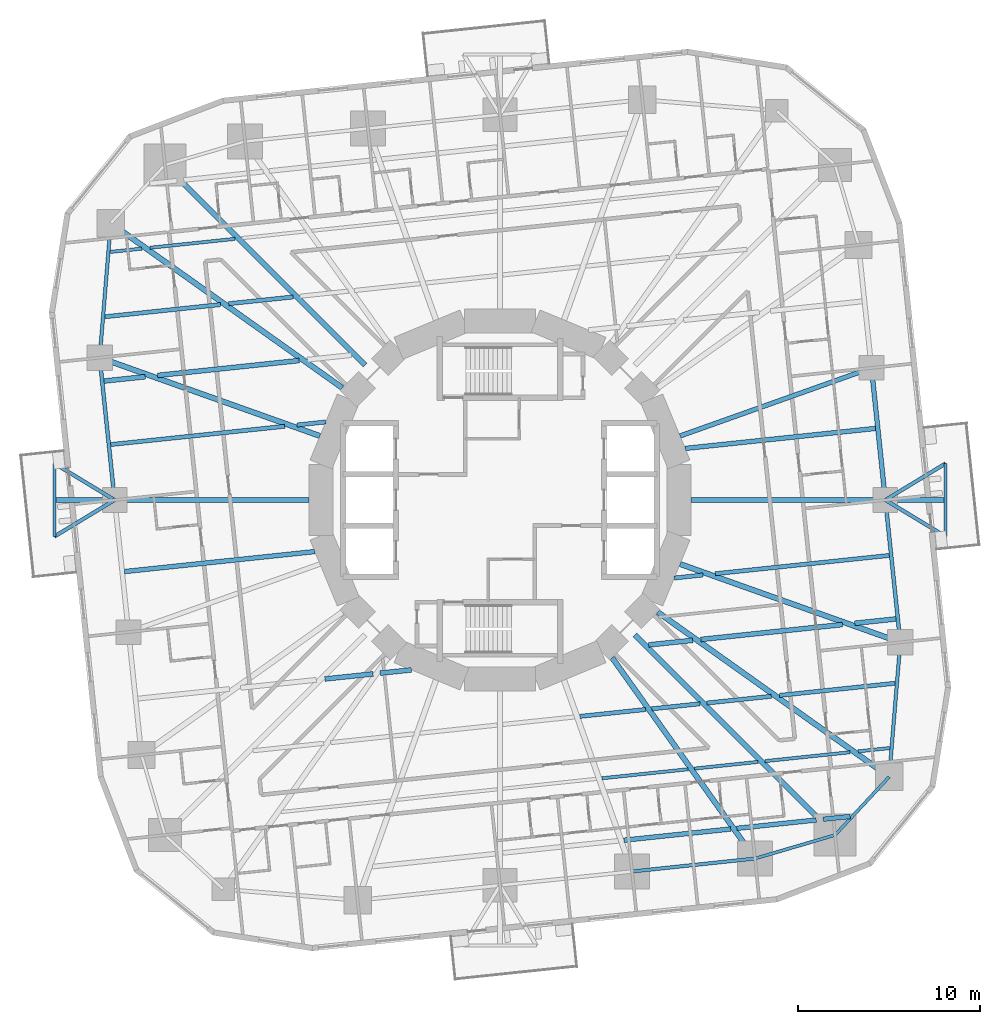
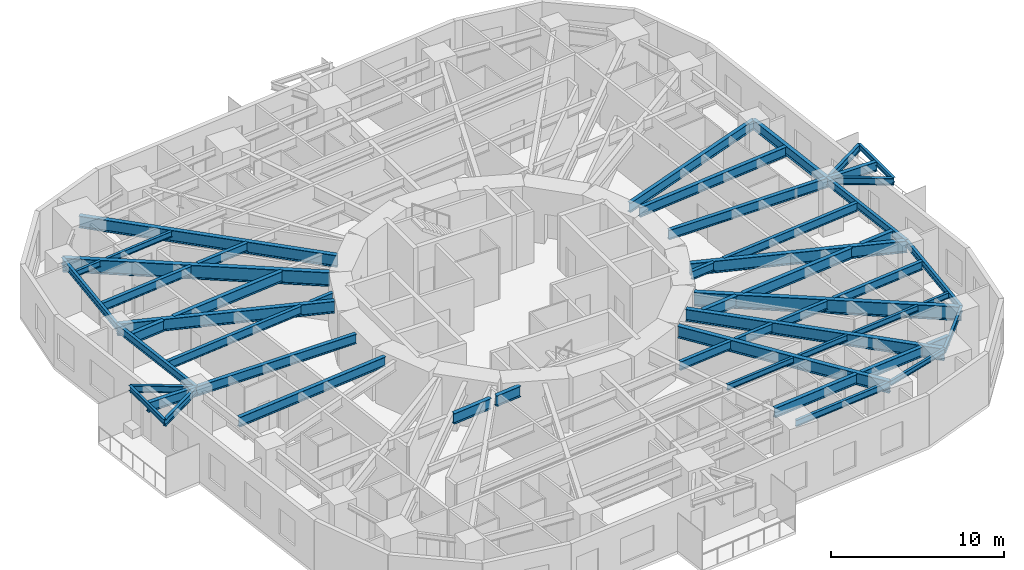
# One storey, part 2 of 13: 52 beams.
"""IFC4 building model written with IfcOpenShell, lengths in metres."""

from ifc_helpers import new_model, si_unit, direction, frame, origin, origin_2d, place, context, subcontext, project, spatial, i_section, extrude, material, material_profile, profile_set, type_object, element, save


model = new_model("IFC4")

# Units and contexts
model_context = context("Model", 3, precision=1e-05, world=origin(), true_north=direction((0.0, 1.0)))
body_context = subcontext(model_context, "Body", "Model", "MODEL_VIEW")
ifc_project = project(units=[si_unit("LENGTHUNIT", "METRE"), si_unit("AREAUNIT", "SQUARE_METRE"), si_unit("VOLUMEUNIT", "CUBIC_METRE"), si_unit("PLANEANGLEUNIT", "RADIAN"), si_unit("MASSUNIT", "GRAM", prefix="KILO")], contexts=[model_context])

# Site, building, storey
site_placement = place(None, origin())
site = spatial("IfcSite", under=ifc_project, at=site_placement, CompositionType="ELEMENT")
building_placement = place(site_placement, origin())
building = spatial("IfcBuilding", under=site, at=building_placement, Name="Nakasero Lantern House", CompositionType="ELEMENT")
storey_placement = place(building_placement, frame((0.0, 0.0, 75.89990234375)))
storey = spatial("IfcBuildingStorey", under=building, at=storey_placement, Name="L18", CompositionType="ELEMENT", Elevation=75.89990234375)

# Beams
ifc_material_1 = material(Name="Steel S355", Category="steel")
ifc_material_profile_1 = material_profile(ifc_material_1, i_section(OverallWidth=0.199462890625, OverallDepth=0.491943359375, WebThickness=0.01806640625, FlangeThickness=0.031982421875, FilletRadius=0.01025390625, at=origin_2d()), Name="UB 457x191x161")
ifc_profile_set_1 = profile_set([ifc_material_profile_1], Name="Steel S355")
beam_type_1 = type_object("IfcBeamType", Name="Balcony splay beam UB 457x191x161", PredefinedType="BEAM", material=ifc_profile_set_1)
for number, where, z_axis, x_axis, name in (
    (1, (21.11572265625, 0.0, 3.404052734375), (0.855201230787, 0.518296107317, 0.0), (-0.518296107317, 0.855201230787, 0.0), "Balcony splay beam L19 B2-C03A"),
    (2, (21.11572265625, 0.0, 3.404052734375), (0.855201230787, -0.518296107317, 0.0), (0.518296107317, 0.855201230787, 0.0), "Balcony splay beam L19 B2-C03B"),
    (3, (-21.11572265625, 0.0, 3.404052734375), (-0.855201230787, -0.518296107317, 0.0), (0.518296107317, -0.855201230787, 0.0), "Balcony splay beam L19 B2-C15A"),
    (4, (-21.11572265625, 0.0, 3.404052734375), (-0.855201230787, 0.518296107317, 0.0), (-0.518296107317, -0.855201230787, 0.0), "Balcony splay beam L19 B2-C15B"),
):
    element("IfcBeam", number, at=place(storey_placement, frame(where, z_axis=z_axis, x_axis=x_axis)), inside=storey, type_object=beam_type_1, Name=name, PredefinedType="BEAM", context=body_context, shape_type="SweptSolid", body=[
        extrude(i_section(OverallWidth=0.199462890625, OverallDepth=0.491943359375, WebThickness=0.01806640625, FlangeThickness=0.031982421875, FilletRadius=0.01025390625, at=origin_2d()), origin(), (0.0, 0.0, 1.0), 3.85888671875),
    ])
ifc_material_2 = material(Name="Steel S355", Category="steel")
ifc_material_profile_2 = material_profile(ifc_material_2, i_section(OverallWidth=0.17138671875, OverallDepth=0.35498046875, WebThickness=0.00732421875, FlangeThickness=0.011474609375, FilletRadius=0.01025390625, at=origin_2d()), Name="UB 356x171x51")
ifc_profile_set_2 = profile_set([ifc_material_profile_2], Name="Steel S355")
beam_type_2 = type_object("IfcBeamType", Name="Balcony tie beam UB 356x171x51", PredefinedType="BEAM", material=ifc_profile_set_2)
for number, where, z_axis, x_axis, name in (
    (5, (24.415771484375, 2.0, 3.47265625), (0.0, -1.0, 0.0), (1.0, 0.0, 0.0), "Balcony tie beam L19 B2-C03"),
    (6, (-24.415771484375, -2.0, 3.47265625), (0.0, 1.0, 0.0), (-1.0, 0.0, 0.0), "Balcony tie beam L19 B2-C15"),
):
    element("IfcBeam", number, at=place(storey_placement, frame(where, z_axis=z_axis, x_axis=x_axis)), inside=storey, type_object=beam_type_2, Name=name, PredefinedType="BEAM", context=body_context, shape_type="SweptSolid", body=[
        extrude(i_section(OverallWidth=0.17138671875, OverallDepth=0.35498046875, WebThickness=0.00732421875, FlangeThickness=0.011474609375, FilletRadius=0.01025390625, at=origin_2d()), origin(), (0.0, 0.0, 1.0), 4.0),
    ])
ifc_material_3 = material(Name="Steel S355", Category="steel")
ifc_material_profile_3 = material_profile(ifc_material_3, i_section(OverallWidth=0.177978515625, OverallDepth=0.406494140625, WebThickness=0.0078125, FlangeThickness=0.0126953125, FilletRadius=0.01025390625, at=origin_2d()), Name="UB 406x178x60")
ifc_profile_set_3 = profile_set([ifc_material_profile_3], Name="Steel S355")
beam_type_3 = type_object("IfcBeamType", Name="Infill beam UB 406x178x60", PredefinedType="JOIST", material=ifc_profile_set_3)
beam_1_placement = place(storey_placement, frame((5.58154296875, -15.25, 3.44677734375), z_axis=(0.994523439889, 0.104513767091, 0.0), x_axis=(-0.104513767091, 0.994523439889, 0.0)))
element("IfcBeam", 7, at=beam_1_placement, inside=storey, type_object=beam_type_3, Name="Infill beam L19 03.4", PredefinedType="JOIST", context=body_context, shape_type="SweptSolid", body=[
    extrude(i_section(OverallWidth=0.177978515625, OverallDepth=0.406494140625, WebThickness=0.0078125, FlangeThickness=0.0126953125, FilletRadius=0.01025390625, at=origin_2d()), origin(), (0.0, 0.0, 1.0), 4.756103515625),
])
beam_2_placement = place(storey_placement, frame((10.6455078125, -14.7177734375, 3.44677734375), z_axis=(0.994521415391, 0.104533029842, 0.0), x_axis=(-0.104533029842, 0.994521415391, 0.0)))
element("IfcBeam", 8, at=beam_2_placement, inside=storey, type_object=beam_type_3, Name="Infill beam L19 03.5", PredefinedType="JOIST", context=body_context, shape_type="SweptSolid", body=[
    extrude(i_section(OverallWidth=0.177978515625, OverallDepth=0.406494140625, WebThickness=0.0078125, FlangeThickness=0.0126953125, FilletRadius=0.01025390625, at=origin_2d()), origin(), (0.0, 0.0, 1.0), 3.517333984375),
])
beam_3_placement = place(storey_placement, frame((14.517578125, -14.310791015625, 3.44677734375), z_axis=(0.994522000641, 0.104527461662, 0.0), x_axis=(-0.104527461662, 0.994522000641, 0.0)))
element("IfcBeam", 9, at=beam_3_placement, inside=storey, type_object=beam_type_3, Name="Infill beam L19 03.6", PredefinedType="JOIST", context=body_context, shape_type="SweptSolid", body=[
    extrude(i_section(OverallWidth=0.177978515625, OverallDepth=0.406494140625, WebThickness=0.0078125, FlangeThickness=0.0126953125, FilletRadius=0.01025390625, at=origin_2d()), origin(), (0.0, 0.0, 1.0), 4.685302734375),
])
for number, where, z_axis, x_axis, name in (
    (10, (19.628173828125, -13.773681640625, 3.44677734375), (0.994526919783, 0.1044806481, 0.0), (-0.1044806481, 0.994526919783, 0.0), "Infill beam L19 03.7"),
    (11, (-21.36181640625, 13.591552734375, 3.44677734375), (0.994526919783, 0.1044806481, 0.0), (-0.1044806481, 0.994526919783, 0.0), "Infill beam L19 12.1"),
):
    element("IfcBeam", number, at=place(storey_placement, frame(where, z_axis=z_axis, x_axis=x_axis)), inside=storey, type_object=beam_type_3, Name=name, PredefinedType="JOIST", context=body_context, shape_type="SweptSolid", body=[
        extrude(i_section(OverallWidth=0.177978515625, OverallDepth=0.406494140625, WebThickness=0.0078125, FlangeThickness=0.0126953125, FilletRadius=0.01025390625, at=origin_2d()), origin(), (0.0, 0.0, 1.0), 1.7431640625),
    ])
beam_4_placement = place(storey_placement, frame((-19.17724609375, 13.821044921875, 3.44677734375), z_axis=(0.994522000641, 0.104527461662, 0.0), x_axis=(-0.104527461662, 0.994522000641, 0.0)))
element("IfcBeam", 12, at=beam_4_placement, inside=storey, type_object=beam_type_3, Name="Infill beam L19 12.2", PredefinedType="JOIST", context=body_context, shape_type="SweptSolid", body=[
    extrude(i_section(OverallWidth=0.177978515625, OverallDepth=0.406494140625, WebThickness=0.0078125, FlangeThickness=0.0126953125, FilletRadius=0.01025390625, at=origin_2d()), origin(), (0.0, 0.0, 1.0), 4.685302734375),
])
ifc_material_4 = material(Name="Steel S355", Category="steel")
ifc_material_profile_4 = material_profile(ifc_material_4, i_section(OverallWidth=0.2275390625, OverallDepth=0.6025390625, WebThickness=0.010498046875, FlangeThickness=0.014892578125, FilletRadius=0.0126953125, at=origin_2d()), Name="UB 610x229x101")
ifc_profile_set_4 = profile_set([ifc_material_profile_4], Name="Steel S355")
beam_type_4 = type_object("IfcBeamType", Name="Infill beam UB 610x229x101", PredefinedType="JOIST", material=ifc_profile_set_4)
beam_5_placement = place(storey_placement, frame((9.548583984375, -4.275390625, 3.348876953125), z_axis=(0.99451559139, 0.104588424223, 0.0), x_axis=(-0.104588424223, 0.99451559139, 0.0)))
element("IfcBeam", 13, at=beam_5_placement, inside=storey, type_object=beam_type_4, Name="Infill beam L19 06.1", PredefinedType="JOIST", context=body_context, shape_type="SweptSolid", body=[
    extrude(i_section(OverallWidth=0.2275390625, OverallDepth=0.6025390625, WebThickness=0.010498046875, FlangeThickness=0.014892578125, FilletRadius=0.0126953125, at=origin_2d()), origin(), (0.0, 0.0, 1.0), 1.582763671875),
])
for number, where, z_axis, x_axis, name in (
    (14, (11.79638671875, -4.0390625, 3.348876953125), (0.994521908804, 0.104528335435, 0.0), (-0.104528335435, 0.994521908804, 0.0), "Infill beam L19 06.2"),
    (15, (-21.329345703125, 3.037109375, 3.348876953125), (0.994521908804, 0.104528335435, 0.0), (-0.104528335435, 0.994521908804, 0.0), "Infill beam L19 09.1"),
):
    element("IfcBeam", number, at=place(storey_placement, frame(where, z_axis=z_axis, x_axis=x_axis)), inside=storey, type_object=beam_type_4, Name=name, PredefinedType="JOIST", context=body_context, shape_type="SweptSolid", body=[
        extrude(i_section(OverallWidth=0.2275390625, OverallDepth=0.6025390625, WebThickness=0.010498046875, FlangeThickness=0.014892578125, FilletRadius=0.0126953125, at=origin_2d()), origin(), (0.0, 0.0, 1.0), 9.58544921875),
    ])
beam_6_placement = place(storey_placement, frame((-11.12255859375, 4.10986328125, 3.348876953125), z_axis=(0.99451559139, 0.104588424223, 0.0), x_axis=(-0.104588424223, 0.99451559139, 0.0)))
element("IfcBeam", 16, at=beam_6_placement, inside=storey, type_object=beam_type_4, Name="Infill beam L19 09.2", PredefinedType="JOIST", context=body_context, shape_type="SweptSolid", body=[
    extrude(i_section(OverallWidth=0.2275390625, OverallDepth=0.6025390625, WebThickness=0.010498046875, FlangeThickness=0.014892578125, FilletRadius=0.0126953125, at=origin_2d()), origin(), (0.0, 0.0, 1.0), 1.582763671875),
])
ifc_material_5 = material(Name="Steel S355", Category="steel")
ifc_material_profile_5 = material_profile(ifc_material_5, i_section(OverallWidth=0.22900390625, OverallDepth=0.6123046875, WebThickness=0.011962890625, FlangeThickness=0.01953125, FilletRadius=0.0126953125, at=origin_2d()), Name="UB 610x229x125")
ifc_profile_set_5 = profile_set([ifc_material_profile_5], Name="Steel S355")
beam_type_5 = type_object("IfcBeamType", Name="Infill beam UB 610x229x125", PredefinedType="JOIST", material=ifc_profile_set_5)
beam_7_placement = place(storey_placement, frame((4.375244140625, -11.857666015625, 3.343994140625), z_axis=(0.994523507044, 0.104513128058, 0.0), x_axis=(-0.104513128058, 0.994523507044, 0.0)))
element("IfcBeam", 17, at=beam_7_placement, inside=storey, type_object=beam_type_5, Name="Infill beam L19 04.5", PredefinedType="JOIST", context=body_context, shape_type="SweptSolid", body=[
    extrude(i_section(OverallWidth=0.22900390625, OverallDepth=0.6123046875, WebThickness=0.011962890625, FlangeThickness=0.01953125, FilletRadius=0.0126953125, at=origin_2d()), origin(), (0.0, 0.0, 1.0), 3.627685546875),
])
beam_8_placement = place(storey_placement, frame((8.31689453125, -11.443359375, 3.343994140625), z_axis=(0.994526079282, 0.104488648322, 0.0), x_axis=(-0.104488648322, 0.994526079282, 0.0)))
element("IfcBeam", 18, at=beam_8_placement, inside=storey, type_object=beam_type_5, Name="Infill beam L19 04.6", PredefinedType="JOIST", context=body_context, shape_type="SweptSolid", body=[
    extrude(i_section(OverallWidth=0.22900390625, OverallDepth=0.6123046875, WebThickness=0.011962890625, FlangeThickness=0.01953125, FilletRadius=0.0126953125, at=origin_2d()), origin(), (0.0, 0.0, 1.0), 2.65673828125),
])
beam_9_placement = place(storey_placement, frame((11.3330078125, -11.126220703125, 3.343994140625), z_axis=(0.99452727583, 0.104477258916, 0.0), x_axis=(-0.104477258916, 0.99452727583, 0.0)))
element("IfcBeam", 19, at=beam_9_placement, inside=storey, type_object=beam_type_5, Name="Infill beam L19 04.7", PredefinedType="JOIST", context=body_context, shape_type="SweptSolid", body=[
    extrude(i_section(OverallWidth=0.22900390625, OverallDepth=0.6123046875, WebThickness=0.011962890625, FlangeThickness=0.01953125, FilletRadius=0.0126953125, at=origin_2d()), origin(), (0.0, 0.0, 1.0), 3.552001953125),
])
for number, where, z_axis, x_axis, name in (
    (20, (15.31640625, -10.707763671875, 3.343994140625), (0.994520346325, 0.104543200382, 0.0), (-0.104543200382, 0.994520346325, 0.0), "Infill beam L19 04.8"),
    (21, (-21.654541015625, 10.04150390625, 3.343994140625), (0.994520346325, 0.104543200382, 0.0), (-0.104543200382, 0.994520346325, 0.0), "Infill beam L19 11.1"),
):
    element("IfcBeam", number, at=place(storey_placement, frame(where, z_axis=z_axis, x_axis=x_axis)), inside=storey, type_object=beam_type_5, Name=name, PredefinedType="JOIST", context=body_context, shape_type="SweptSolid", body=[
        extrude(i_section(OverallWidth=0.22900390625, OverallDepth=0.6123046875, WebThickness=0.011962890625, FlangeThickness=0.01953125, FilletRadius=0.0126953125, at=origin_2d()), origin(), (0.0, 0.0, 1.0), 6.373046875),
    ])
beam_10_placement = place(storey_placement, frame((-14.865478515625, 10.755126953125, 3.343994140625), z_axis=(0.99452727583, 0.104477258916, 0.0), x_axis=(-0.104477258916, 0.99452727583, 0.0)))
element("IfcBeam", 22, at=beam_10_placement, inside=storey, type_object=beam_type_5, Name="Infill beam L19 11.2", PredefinedType="JOIST", context=body_context, shape_type="SweptSolid", body=[
    extrude(i_section(OverallWidth=0.22900390625, OverallDepth=0.6123046875, WebThickness=0.011962890625, FlangeThickness=0.01953125, FilletRadius=0.0126953125, at=origin_2d()), origin(), (0.0, 0.0, 1.0), 3.552001953125),
])
ifc_material_6 = material(Name="Steel S355", Category="steel")
ifc_material_profile_6 = material_profile(ifc_material_6, i_section(OverallWidth=0.255859375, OverallDepth=0.69287109375, WebThickness=0.014404296875, FlangeThickness=0.023681640625, FilletRadius=0.01513671875, at=origin_2d()), Name="UB 686x254x170")
ifc_profile_set_6 = profile_set([ifc_material_profile_6], Name="Steel S355")
beam_type_6 = type_object("IfcBeamType", Name="Infill beam UB 686x254x170", PredefinedType="JOIST", material=ifc_profile_set_6)
beam_11_placement = place(storey_placement, frame((6.78759765625, -18.642578125, 3.3037109375), z_axis=(0.994524304789, 0.104505536616, 0.0), x_axis=(-0.104505536616, 0.994524304789, 0.0)))
element("IfcBeam", 23, at=beam_11_placement, inside=storey, type_object=beam_type_6, Name="Infill beam L19 02.3", PredefinedType="JOIST", context=body_context, shape_type="SweptSolid", body=[
    extrude(i_section(OverallWidth=0.255859375, OverallDepth=0.69287109375, WebThickness=0.014404296875, FlangeThickness=0.023681640625, FilletRadius=0.01513671875, at=origin_2d()), origin(), (0.0, 0.0, 1.0), 5.884765625),
])
beam_12_placement = place(storey_placement, frame((12.97412109375, -17.992431640625, 3.3037109375), z_axis=(0.994518584312, 0.104559961062, 0.0), x_axis=(-0.104559961062, 0.994518584312, 0.0)))
element("IfcBeam", 24, at=beam_12_placement, inside=storey, type_object=beam_type_6, Name="Infill beam L19 02.4", PredefinedType="JOIST", context=body_context, shape_type="SweptSolid", body=[
    extrude(i_section(OverallWidth=0.255859375, OverallDepth=0.69287109375, WebThickness=0.014404296875, FlangeThickness=0.023681640625, FilletRadius=0.01513671875, at=origin_2d()), origin(), (0.0, 0.0, 1.0), 4.3779296875),
])
beam_13_placement = place(storey_placement, frame((17.7021484375, -17.495361328125, 3.3037109375), z_axis=(0.994535800288, 0.104396082038, 0.0), x_axis=(-0.104396082038, 0.994535800288, 0.0)))
element("IfcBeam", 25, at=beam_13_placement, inside=storey, type_object=beam_type_6, Name="Infill beam L19 02.5", PredefinedType="JOIST", context=body_context, shape_type="SweptSolid", body=[
    extrude(i_section(OverallWidth=0.255859375, OverallDepth=0.69287109375, WebThickness=0.014404296875, FlangeThickness=0.023681640625, FilletRadius=0.01513671875, at=origin_2d()), origin(), (0.0, 0.0, 1.0), 1.49658203125),
])
for number, where, z_axis, x_axis, name in (
    (26, (-20.575927734375, -3.92236328125, 3.3037109375), (0.994521899939, 0.104528419781, 0.0), (-0.104528419781, 0.994521899939, 0.0), "Infill beam L19 07.1"),
    (27, (10.148681640625, 2.826416015625, 3.3037109375), (0.994521899939, 0.104528419781, 0.0), (-0.104528419781, 0.994521899939, 0.0), "Infill beam L19 08.1"),
):
    element("IfcBeam", number, at=place(storey_placement, frame(where, z_axis=z_axis, x_axis=x_axis)), inside=storey, type_object=beam_type_6, Name=name, PredefinedType="JOIST", context=body_context, shape_type="SweptSolid", body=[
        extrude(i_section(OverallWidth=0.255859375, OverallDepth=0.69287109375, WebThickness=0.014404296875, FlangeThickness=0.023681640625, FilletRadius=0.01513671875, at=origin_2d()), origin(), (0.0, 0.0, 1.0), 10.484619140625),
    ])
ifc_material_7 = material(Name="Steel S355", Category="steel")
ifc_material_profile_7 = material_profile(ifc_material_7, i_section(OverallWidth=0.2666015625, OverallDepth=0.76220703125, WebThickness=0.014404296875, FlangeThickness=0.021484375, FilletRadius=0.0166015625, at=origin_2d()), Name="UB 762x267x173")
ifc_profile_set_7 = profile_set([ifc_material_profile_7], Name="Steel S355")
beam_type_7 = type_object("IfcBeamType", Name="Infill beam UB 762x267x173", PredefinedType="JOIST", material=ifc_profile_set_7)
beam_14_placement = place(storey_placement, frame((-9.594482421875, -9.806640625, 3.26904296875), z_axis=(0.994521575627, 0.104531505358, 0.0), x_axis=(-0.104531505358, 0.994521575627, 0.0)))
element("IfcBeam", 28, at=beam_14_placement, inside=storey, type_object=beam_type_7, Name="Infill beam L19 05.3", PredefinedType="JOIST", context=body_context, shape_type="SweptSolid", body=[
    extrude(i_section(OverallWidth=0.2666015625, OverallDepth=0.76220703125, WebThickness=0.014404296875, FlangeThickness=0.021484375, FilletRadius=0.0166015625, at=origin_2d()), origin(), (0.0, 0.0, 1.0), 2.6533203125),
])
beam_15_placement = place(storey_placement, frame((-6.568115234375, -9.488525390625, 3.26904296875), z_axis=(0.994529501552, 0.104456069922, 0.0), x_axis=(-0.104456069922, 0.994529501552, 0.0)))
element("IfcBeam", 29, at=beam_15_placement, inside=storey, type_object=beam_type_7, Name="Infill beam L19 05.4", PredefinedType="JOIST", context=body_context, shape_type="SweptSolid", body=[
    extrude(i_section(OverallWidth=0.2666015625, OverallDepth=0.76220703125, WebThickness=0.014404296875, FlangeThickness=0.021484375, FilletRadius=0.0166015625, at=origin_2d()), origin(), (0.0, 0.0, 1.0), 1.72265625),
])
beam_16_placement = place(storey_placement, frame((8.1484375, -7.941650390625, 3.26904296875), z_axis=(0.99452700398, 0.104479846642, 0.0), x_axis=(-0.104479846642, 0.99452700398, 0.0)))
element("IfcBeam", 30, at=beam_16_placement, inside=storey, type_object=beam_type_7, Name="Infill beam L19 05.5", PredefinedType="JOIST", context=body_context, shape_type="SweptSolid", body=[
    extrude(i_section(OverallWidth=0.2666015625, OverallDepth=0.76220703125, WebThickness=0.014404296875, FlangeThickness=0.021484375, FilletRadius=0.0166015625, at=origin_2d()), origin(), (0.0, 0.0, 1.0), 2.41845703125),
])
beam_17_placement = place(storey_placement, frame((11.0048828125, -7.6416015625, 3.26904296875), z_axis=(0.994520535103, 0.104541404521, 0.0), x_axis=(-0.104541404521, 0.994520535103, 0.0)))
element("IfcBeam", 31, at=beam_17_placement, inside=storey, type_object=beam_type_7, Name="Infill beam L19 05.6", PredefinedType="JOIST", context=body_context, shape_type="SweptSolid", body=[
    extrude(i_section(OverallWidth=0.2666015625, OverallDepth=0.76220703125, WebThickness=0.014404296875, FlangeThickness=0.021484375, FilletRadius=0.0166015625, at=origin_2d()), origin(), (0.0, 0.0, 1.0), 7.800048828125),
])
for number, where, z_axis, x_axis, name in (
    (32, (19.43603515625, -6.75537109375, 3.26904296875), (0.994516636986, 0.104578481334, 0.0), (-0.104578481334, 0.994516636986, 0.0), "Infill beam L19 05.7"),
    (33, (-21.695068359375, 6.517822265625, 3.26904296875), (0.994516636986, 0.104578481334, 0.0), (-0.104578481334, 0.994516636986, 0.0), "Infill beam L19 10.1"),
):
    element("IfcBeam", number, at=place(storey_placement, frame(where, z_axis=z_axis, x_axis=x_axis)), inside=storey, type_object=beam_type_7, Name=name, PredefinedType="JOIST", context=body_context, shape_type="SweptSolid", body=[
        extrude(i_section(OverallWidth=0.2666015625, OverallDepth=0.76220703125, WebThickness=0.014404296875, FlangeThickness=0.021484375, FilletRadius=0.0166015625, at=origin_2d()), origin(), (0.0, 0.0, 1.0), 2.271484375),
    ])
beam_18_placement = place(storey_placement, frame((-18.76220703125, 6.826171875, 3.26904296875), z_axis=(0.994520535103, 0.104541404521, 0.0), x_axis=(-0.104541404521, 0.994520535103, 0.0)))
element("IfcBeam", 34, at=beam_18_placement, inside=storey, type_object=beam_type_7, Name="Infill beam L19 10.2", PredefinedType="JOIST", context=body_context, shape_type="SweptSolid", body=[
    extrude(i_section(OverallWidth=0.2666015625, OverallDepth=0.76220703125, WebThickness=0.014404296875, FlangeThickness=0.021484375, FilletRadius=0.0166015625, at=origin_2d()), origin(), (0.0, 0.0, 1.0), 7.800048828125),
])
ifc_material_8 = material(Name="Steel S355", Category="steel")
ifc_material_profile_8 = material_profile(ifc_material_8, i_section(OverallWidth=0.300048828125, OverallDepth=0.989990234375, WebThickness=0.0166015625, FlangeThickness=0.031005859375, FilletRadius=0.030029296875, at=origin_2d()), Name="UB 1016x305x272")
ifc_profile_set_8 = profile_set([ifc_material_profile_8], Name="Steel S355")
beam_type_8 = type_object("IfcBeamType", Name="Primary beam UB 1016x305x272, span over 15 m", PredefinedType="BEAM", material=ifc_profile_set_8)
for number, where, z_axis, x_axis, name in (
    (35, (21.327880859375, -15.16650390625, 3.155029296875), (-0.814951538239, 0.57952911085, 0.0), (-0.57952911085, -0.814951538239, 0.0), "Primary beam L19 B2-C01"),
    (36, (-21.327880859375, 15.16650390625, 3.155029296875), (0.814951538239, -0.57952911085, 0.0), (0.57952911085, 0.814951538239, 0.0), "Primary beam L19 B2-C13"),
):
    element("IfcBeam", number, at=place(storey_placement, frame(where, z_axis=z_axis, x_axis=x_axis)), inside=storey, type_object=beam_type_8, Name=name, PredefinedType="BEAM", context=body_context, shape_type="SweptSolid", body=[
        extrude(i_section(OverallWidth=0.300048828125, OverallDepth=0.989990234375, WebThickness=0.0166015625, FlangeThickness=0.031005859375, FilletRadius=0.030029296875, at=origin_2d()), origin(), (0.0, 0.0, 1.0), 15.564697265625),
    ])
ifc_material_9 = material(Name="Steel S355", Category="steel")
ifc_material_profile_9 = material_profile(ifc_material_9, i_section(OverallWidth=0.253662109375, OverallDepth=0.68359375, WebThickness=0.012451171875, FlangeThickness=0.01904296875, FilletRadius=0.01513671875, at=origin_2d()), Name="UB 686x254x140")
ifc_profile_set_9 = profile_set([ifc_material_profile_9], Name="Steel S355")
beam_type_9 = type_object("IfcBeamType", Name="Primary beam UB 686x254x140, span 9 to 12 m", PredefinedType="BEAM", material=ifc_profile_set_9)
beam_19_placement = place(storey_placement, frame((24.415771484375, 0.0, 3.308349609375), z_axis=(-1.0, 0.0, 0.0), x_axis=(0.0, -1.0, 0.0)))
element("IfcBeam", 37, at=beam_19_placement, inside=storey, type_object=beam_type_9, Name="Primary beam L19 B2-C03", PredefinedType="BEAM", context=body_context, shape_type="SweptSolid", body=[
    extrude(i_section(OverallWidth=0.253662109375, OverallDepth=0.68359375, WebThickness=0.012451171875, FlangeThickness=0.01904296875, FilletRadius=0.01513671875, at=origin_2d()), origin(), (0.0, 0.0, 1.0), 13.9580078125),
])
beam_20_placement = place(storey_placement, frame((20.35498046875, 7.2373046875, 3.308349609375), z_axis=(-0.942214844119, -0.335009234979, 0.0), x_axis=(0.335009234979, -0.942214844119, 0.0)))
element("IfcBeam", 38, at=beam_20_placement, inside=storey, type_object=beam_type_9, Name="Primary beam L19 B2-C04", PredefinedType="BEAM", context=body_context, shape_type="SweptSolid", body=[
    extrude(i_section(OverallWidth=0.253662109375, OverallDepth=0.68359375, WebThickness=0.012451171875, FlangeThickness=0.01904296875, FilletRadius=0.01513671875, at=origin_2d()), origin(), (0.0, 0.0, 1.0), 11.1318359375),
])
beam_21_placement = place(storey_placement, frame((-24.415771484375, 0.0, 3.308349609375), z_axis=(1.0, 0.0, 0.0), x_axis=(0.0, 1.0, 0.0)))
element("IfcBeam", 39, at=beam_21_placement, inside=storey, type_object=beam_type_9, Name="Primary beam L19 B2-C15", PredefinedType="BEAM", context=body_context, shape_type="SweptSolid", body=[
    extrude(i_section(OverallWidth=0.253662109375, OverallDepth=0.68359375, WebThickness=0.012451171875, FlangeThickness=0.01904296875, FilletRadius=0.01513671875, at=origin_2d()), origin(), (0.0, 0.0, 1.0), 13.9580078125),
])
ifc_material_10 = material(Name="Steel S355", Category="steel")
ifc_material_profile_10 = material_profile(ifc_material_10, i_section(OverallWidth=0.29248046875, OverallDepth=0.8408203125, WebThickness=0.0146484375, FlangeThickness=0.02685546875, FilletRadius=0.017822265625, at=origin_2d()), Name="UB 838x292x194")
ifc_profile_set_10 = profile_set([ifc_material_profile_10], Name="Steel S355")
beam_type_10 = type_object("IfcBeamType", Name="Primary beam UB 838x292x194, span 12 to 15 m", PredefinedType="BEAM", material=ifc_profile_set_10)
for number, where, z_axis, x_axis, name in (
    (40, (21.935302734375, -7.79931640625, 3.229736328125), (-0.942211882636, 0.335017564047, 0.0), (-0.335017564047, -0.942211882636, 0.0), "Primary beam L19 B2-C02"),
    (41, (-21.935302734375, 7.79931640625, 3.229736328125), (0.942211882636, -0.335017564047, 0.0), (0.335017564047, 0.942211882636, 0.0), "Primary beam L19 B2-C14"),
):
    element("IfcBeam", number, at=place(storey_placement, frame(where, z_axis=z_axis, x_axis=x_axis)), inside=storey, type_object=beam_type_10, Name=name, PredefinedType="BEAM", context=body_context, shape_type="SweptSolid", body=[
        extrude(i_section(OverallWidth=0.29248046875, OverallDepth=0.8408203125, WebThickness=0.0146484375, FlangeThickness=0.02685546875, FilletRadius=0.017822265625, at=origin_2d()), origin(), (0.0, 0.0, 1.0), 12.80908203125),
    ])
beam_22_placement = place(storey_placement, frame((13.971435546875, -19.647216796875, 3.229736328125), z_axis=(-0.579533393168, 0.814948492976, 0.0), x_axis=(-0.814948492976, -0.579533393168, 0.0)))
element("IfcBeam", 42, at=beam_22_placement, inside=storey, type_object=beam_type_10, Name="Primary beam L19 B2-C23", PredefinedType="BEAM", context=body_context, shape_type="SweptSolid", body=[
    extrude(i_section(OverallWidth=0.29248046875, OverallDepth=0.8408203125, WebThickness=0.0146484375, FlangeThickness=0.02685546875, FilletRadius=0.017822265625, at=origin_2d()), origin(), (0.0, 0.0, 1.0), 13.502685546875),
])
ifc_material_11 = material(Name="Steel S355", Category="steel")
ifc_material_profile_11 = material_profile(ifc_material_11, i_section(OverallWidth=0.29248046875, OverallDepth=0.8408203125, WebThickness=0.0146484375, FlangeThickness=0.02685546875, FilletRadius=0.017822265625, at=origin_2d()), Name="UB 838x292x194")
ifc_profile_set_11 = profile_set([ifc_material_profile_11], Name="Steel S355")
beam_type_11 = type_object("IfcBeamType", Name="Primary beam UB 838x292x194, span over 15 m", PredefinedType="BEAM", material=ifc_profile_set_11)
for number, where, z_axis, x_axis, name in (
    (43, (-18.359375, 18.359375, 3.229736328125), (0.707106781187, -0.707106781187, 0.0), (0.707106781187, 0.707106781187, 0.0), "Primary beam L19 B2-C12"),
    (44, (18.359375, -18.359375, 3.229736328125), (-0.707106781187, 0.707106781187, 0.0), (-0.707106781187, -0.707106781187, 0.0), "Primary beam L19 B2-C24"),
):
    element("IfcBeam", number, at=place(storey_placement, frame(where, z_axis=z_axis, x_axis=x_axis)), inside=storey, type_object=beam_type_11, Name=name, PredefinedType="BEAM", context=body_context, shape_type="SweptSolid", body=[
        extrude(i_section(OverallWidth=0.29248046875, OverallDepth=0.8408203125, WebThickness=0.0146484375, FlangeThickness=0.02685546875, FilletRadius=0.017822265625, at=origin_2d()), origin(), (0.0, 0.0, 1.0), 15.50634765625),
    ])
ifc_material_12 = material(Name="Steel S355", Category="steel")
ifc_material_profile_12 = material_profile(ifc_material_12, i_section(OverallWidth=0.17138671875, OverallDepth=0.35498046875, WebThickness=0.00732421875, FlangeThickness=0.011474609375, FilletRadius=0.01025390625, at=origin_2d()), Name="UB 356x171x51")
ifc_profile_set_12 = profile_set([ifc_material_profile_12], Name="Steel S355")
beam_type_12 = type_object("IfcBeamType", Name="Ring beam UB 356x171x51", PredefinedType="BEAM", material=ifc_profile_set_12)
beam_23_placement = place(storey_placement, frame((13.971435546875, -19.647216796875, 3.47265625), z_axis=(0.959526865957, 0.28161710443, 0.0), x_axis=(-0.28161710443, 0.959526865957, 0.0)))
element("IfcBeam", 45, at=beam_23_placement, inside=storey, type_object=beam_type_12, Name="Ring beam L19 B2-C23", PredefinedType="BEAM", context=body_context, shape_type="SweptSolid", body=[
    extrude(i_section(OverallWidth=0.17138671875, OverallDepth=0.35498046875, WebThickness=0.00732421875, FlangeThickness=0.011474609375, FilletRadius=0.01025390625, at=origin_2d()), origin(), (0.0, 0.0, 1.0), 4.572998046875),
])
beam_24_placement = place(storey_placement, frame((18.359375, -18.359375, 3.47265625), z_axis=(0.680906333933, 0.732370510336, 0.0), x_axis=(-0.732370510336, 0.680906333933, 0.0)))
element("IfcBeam", 46, at=beam_24_placement, inside=storey, type_object=beam_type_12, Name="Ring beam L19 B2-C24", PredefinedType="BEAM", context=body_context, shape_type="SweptSolid", body=[
    extrude(i_section(OverallWidth=0.17138671875, OverallDepth=0.35498046875, WebThickness=0.00732421875, FlangeThickness=0.011474609375, FilletRadius=0.01025390625, at=origin_2d()), origin(), (0.0, 0.0, 1.0), 4.359619140625),
])
ifc_material_13 = material(Name="Steel S355", Category="steel")
ifc_material_profile_13 = material_profile(ifc_material_13, i_section(OverallWidth=0.18994140625, OverallDepth=0.453369140625, WebThickness=0.008544921875, FlangeThickness=0.0126953125, FilletRadius=0.01025390625, at=origin_2d()), Name="UB 457x191x67")
ifc_profile_set_13 = profile_set([ifc_material_profile_13], Name="Steel S355")
beam_type_13 = type_object("IfcBeamType", Name="Ring beam UB 457x191x67", PredefinedType="BEAM", material=ifc_profile_set_13)
beam_25_placement = place(storey_placement, frame((7.2373046875, -20.35498046875, 3.42333984375), z_axis=(0.994522233155, 0.10452524939, 0.0), x_axis=(-0.10452524939, 0.994522233155, 0.0)))
element("IfcBeam", 47, at=beam_25_placement, inside=storey, type_object=beam_type_13, Name="Ring beam L19 B2-C22", PredefinedType="BEAM", context=body_context, shape_type="SweptSolid", body=[
    extrude(i_section(OverallWidth=0.18994140625, OverallDepth=0.453369140625, WebThickness=0.008544921875, FlangeThickness=0.0126953125, FilletRadius=0.01025390625, at=origin_2d()), origin(), (0.0, 0.0, 1.0), 6.771240234375),
])
ifc_material_14 = material(Name="Steel S355", Category="steel")
ifc_material_profile_14 = material_profile(ifc_material_14, i_section(OverallWidth=0.19140625, OverallDepth=0.4599609375, WebThickness=0.010009765625, FlangeThickness=0.01611328125, FilletRadius=0.01025390625, at=origin_2d()), Name="UB 457x191x82")
ifc_profile_set_14 = profile_set([ifc_material_profile_14], Name="Steel S355")
beam_type_14 = type_object("IfcBeamType", Name="Ring beam UB 457x191x82", PredefinedType="BEAM", material=ifc_profile_set_14)
for number, where, z_axis, x_axis, name in (
    (48, (21.327880859375, -15.16650390625, 3.420166015625), (0.08217080574, 0.996618261264, 0.0), (-0.996618261264, 0.08217080574, 0.0), "Ring beam L19 B2-C01"),
    (49, (-21.327880859375, 15.16650390625, 3.420166015625), (-0.08217080574, -0.996618261264, 0.0), (0.996618261264, -0.08217080574, 0.0), "Ring beam L19 B2-C13"),
):
    element("IfcBeam", number, at=place(storey_placement, frame(where, z_axis=z_axis, x_axis=x_axis)), inside=storey, type_object=beam_type_14, Name=name, PredefinedType="BEAM", context=body_context, shape_type="SweptSolid", body=[
        extrude(i_section(OverallWidth=0.19140625, OverallDepth=0.4599609375, WebThickness=0.010009765625, FlangeThickness=0.01611328125, FilletRadius=0.01025390625, at=origin_2d()), origin(), (0.0, 0.0, 1.0), 7.39208984375),
    ])
ifc_material_15 = material(Name="Steel S355", Category="steel")
ifc_material_profile_15 = material_profile(ifc_material_15, i_section(OverallWidth=0.2099609375, OverallDepth=0.53662109375, WebThickness=0.0107421875, FlangeThickness=0.017333984375, FilletRadius=0.0126953125, at=origin_2d()), Name="UB 533x210x101")
ifc_profile_set_15 = profile_set([ifc_material_profile_15], Name="Steel S355")
beam_type_15 = type_object("IfcBeamType", Name="Ring beam UB 533x210x101", PredefinedType="BEAM", material=ifc_profile_set_15)
for number, where, z_axis, x_axis, name in (
    (50, (21.935302734375, -7.79931640625, 3.3818359375), (-0.104508144098, 0.994524030789, 0.0), (-0.994524030789, -0.104508144098, 0.0), "Ring beam L19 B2-C02"),
    (51, (-21.935302734375, 7.79931640625, 3.3818359375), (0.104508144098, -0.994524030789, 0.0), (0.994524030789, 0.104508144098, 0.0), "Ring beam L19 B2-C14"),
):
    element("IfcBeam", number, at=place(storey_placement, frame(where, z_axis=z_axis, x_axis=x_axis)), inside=storey, type_object=beam_type_15, Name=name, PredefinedType="BEAM", context=body_context, shape_type="SweptSolid", body=[
        extrude(i_section(OverallWidth=0.2099609375, OverallDepth=0.53662109375, WebThickness=0.0107421875, FlangeThickness=0.017333984375, FilletRadius=0.0126953125, at=origin_2d()), origin(), (0.0, 0.0, 1.0), 7.84228515625),
    ])
ifc_material_16 = material(Name="Steel S355", Category="steel")
ifc_material_profile_16 = material_profile(ifc_material_16, i_section(OverallWidth=0.253662109375, OverallDepth=0.68359375, WebThickness=0.012451171875, FlangeThickness=0.01904296875, FilletRadius=0.01513671875, at=origin_2d()), Name="UB 686x254x140")
ifc_profile_set_16 = profile_set([ifc_material_profile_16], Name="Steel S355")
beam_type_16 = type_object("IfcBeamType", Name="Ring beam UB 686x254x140", PredefinedType="BEAM", material=ifc_profile_set_16)
beam_26_placement = place(storey_placement, frame((21.11572265625, 0.0, 3.308349609375), z_axis=(-0.104538087767, 0.994520883746, 0.0), x_axis=(-0.994520883746, -0.104538087767, 0.0)))
element("IfcBeam", 52, at=beam_26_placement, inside=storey, type_object=beam_type_16, Name="Ring beam L19 B2-C03", PredefinedType="BEAM", context=body_context, shape_type="SweptSolid", body=[
    extrude(i_section(OverallWidth=0.253662109375, OverallDepth=0.68359375, WebThickness=0.012451171875, FlangeThickness=0.01904296875, FilletRadius=0.01513671875, at=origin_2d()), origin(), (0.0, 0.0, 1.0), 7.277099609375),
])

save(model, "model.ifc")
